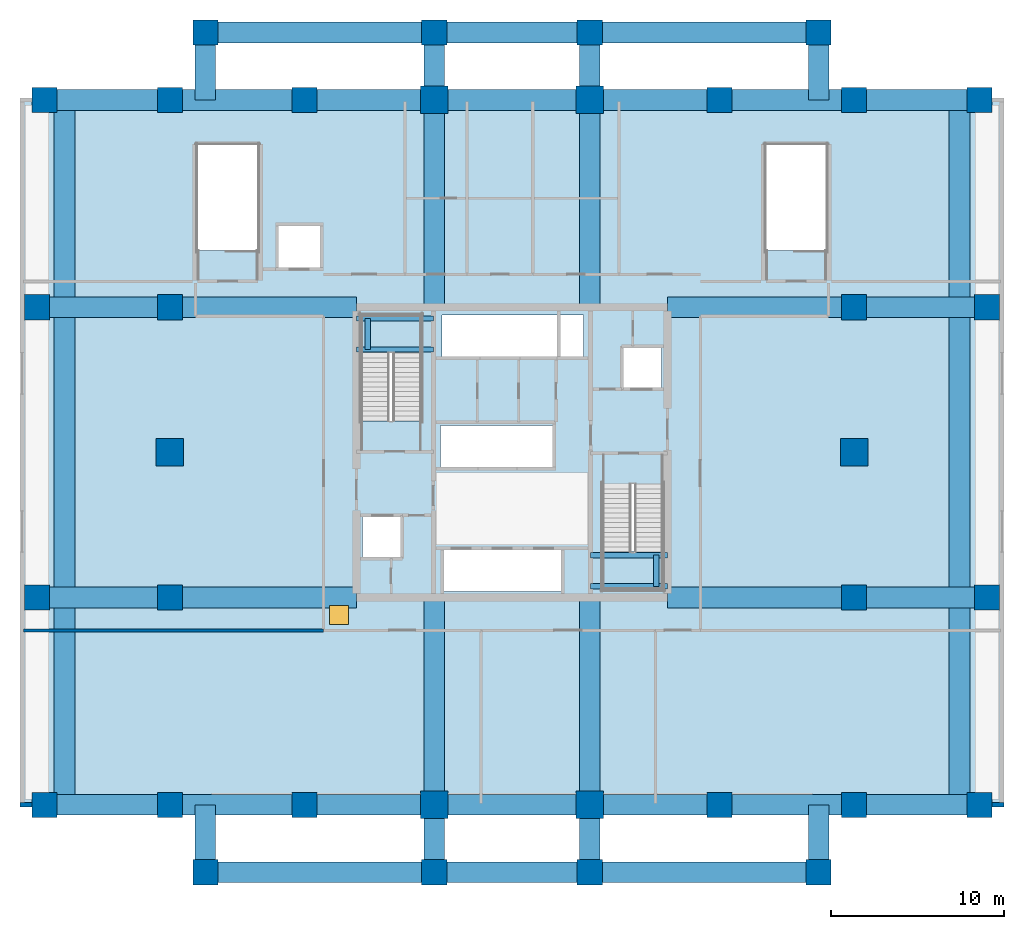
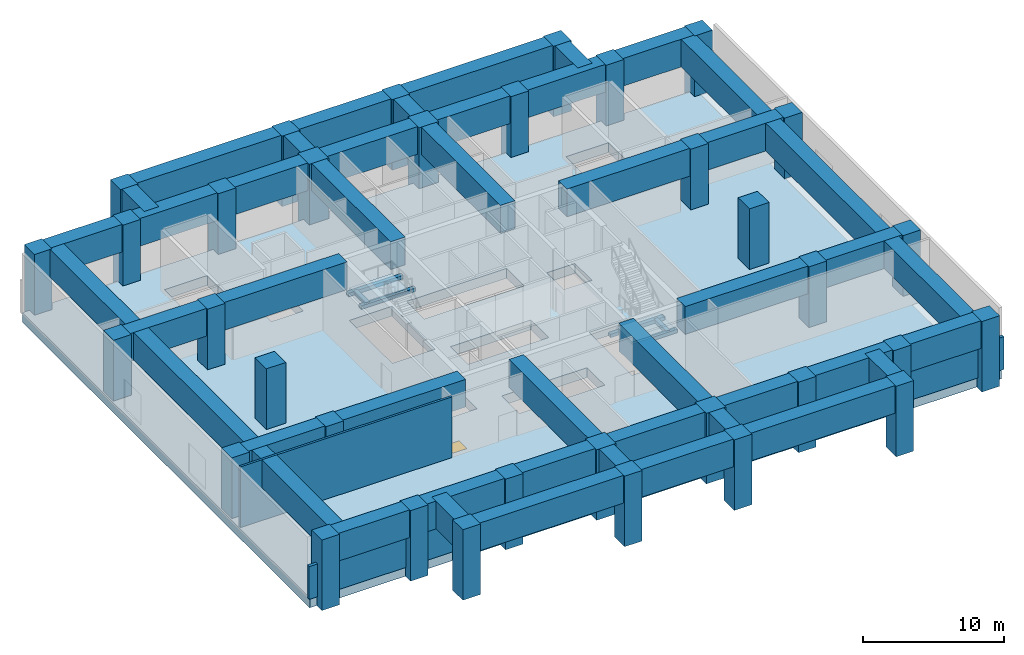
"""IFC4 building model written with IfcOpenShell, lengths in metres."""

import ifcopenshell
import ifcopenshell.guid

model = None  # the IFC model being written
_history = None  # IfcOwnerHistory: only IFC2X3 demands one
_inside = {}  # id of a spatial element -> (the spatial element, [elements in it])
_under = {}  # id of a project, library or spatial element -> (it, [spatial elements below it])
_declared = {}  # id of a project -> (the project, [libraries it declares])
_typed = {}  # id of a type object -> (the type object, [elements of that type])
_made_of = {}  # id of a material, layer set ... -> (it, [elements and type objects made of it])


def new_model(schema):
    """Start an empty IFC model of exactly this schema.

    Asked for "IFC4X3", IfcOpenShell would pick the latest addendum, in which some entities
    have other attributes; the version numbers below select the first issue.
    IFC2X3 requires an IfcOwnerHistory on every rooted entity: one is made here for all.
    """
    global model, _history
    if schema == "IFC4X3":
        model = ifcopenshell.file(schema_version=(4, 3, 0, 0))
    else:
        model = ifcopenshell.file(schema=schema)
    _inside.clear()
    _under.clear()
    _declared.clear()
    _typed.clear()
    _made_of.clear()
    _history = None
    if model.schema == "IFC2X3":
        org = make("IfcOrganization", Name="unknown")
        user = make(
            "IfcPersonAndOrganization",
            ThePerson=make("IfcPerson", FamilyName="unknown"),
            TheOrganization=org,
        )
        app = make(
            "IfcApplication",
            ApplicationDeveloper=org,
            Version="unknown",
            ApplicationFullName="unknown",
            ApplicationIdentifier="unknown",
        )
        _history = make(
            "IfcOwnerHistory",
            OwningUser=user,
            OwningApplication=app,
            ChangeAction="ADDED",
            CreationDate=0,
        )
    return model


def make(cls, **values):
    """One entity of the class cls with the attributes given. An attribute that is None is left unset."""
    return model.create_entity(
        cls, **{name: value for name, value in values.items() if value is not None}
    )


def rooted(cls, **values):
    """An entity with a GlobalId (a new one), such as an element, a storey or a relation."""
    return make(cls, GlobalId=ifcopenshell.guid.new(), OwnerHistory=_history, **values)


def si_unit(unit_type, name, prefix=None):
    """IfcSIUnit, for example si_unit("LENGTHUNIT", "METRE", prefix="MILLI")."""
    return make("IfcSIUnit", UnitType=unit_type, Prefix=prefix, Name=name)


def assignment(units):
    """IfcUnitAssignment: the units of a project."""
    return None if units is None else make("IfcUnitAssignment", Units=units)


def point(xyz):
    """IfcCartesianPoint."""
    return None if xyz is None else make("IfcCartesianPoint", Coordinates=xyz)


def direction(xyz):
    """IfcDirection."""
    return None if xyz is None else make("IfcDirection", DirectionRatios=xyz)


def frame(location, z_axis=None, x_axis=None):
    """IfcAxis2Placement3D, a coordinate frame: its origin and axes. An axis left out is left unset."""
    return make(
        "IfcAxis2Placement3D",
        Location=point(location),
        Axis=direction(z_axis),
        RefDirection=direction(x_axis),
    )


def frame_2d(location, x_axis=None):
    """IfcAxis2Placement2D, a coordinate frame in the plane: its origin and x axis."""
    return make(
        "IfcAxis2Placement2D", Location=point(location), RefDirection=direction(x_axis)
    )


def origin():
    """The frame at (0, 0, 0) with its axes left unset."""
    return frame((0.0, 0.0, 0.0))


def origin_2d():
    """The frame at (0, 0) in the plane with its x axis left unset."""
    return frame_2d((0.0, 0.0))


def place(relative_to, where):
    """IfcLocalPlacement: puts the frame where relative to a parent placement (None: the world)."""
    return make(
        "IfcLocalPlacement", PlacementRelTo=relative_to, RelativePlacement=where
    )


def context(
    kind, dimensions, precision=None, world=None, true_north=None, identifier=None
):
    """IfcGeometricRepresentationContext, for example the 3D "Model" context."""
    return make(
        "IfcGeometricRepresentationContext",
        ContextIdentifier=identifier,
        ContextType=kind,
        CoordinateSpaceDimension=dimensions,
        Precision=precision,
        WorldCoordinateSystem=world,
        TrueNorth=true_north,
    )


def subcontext(parent, identifier, kind, view, scale=None):
    """IfcGeometricRepresentationSubContext, for example "Body" below "Model"."""
    return make(
        "IfcGeometricRepresentationSubContext",
        ContextIdentifier=identifier,
        ContextType=kind,
        ParentContext=parent,
        TargetScale=scale,
        TargetView=view,
    )


def project(units=None, contexts=None):
    """IfcProject with its units and contexts."""
    return rooted(
        "IfcProject",
        Name="project",
        RepresentationContexts=contexts,
        UnitsInContext=assignment(units),
    )


def spatial(cls, under=None, at=None, **own):
    """A site, building, storey or space (cls), placed at a placement, below another one or the project."""
    s = rooted(cls, ObjectPlacement=at, **own)
    if under is not None:
        _under.setdefault(under.id(), (under, []))[1].append(s)
    return s


def polyline(points):
    """IfcPolyline through the points."""
    return make("IfcPolyline", Points=[point(p) for p in points])


def profile(cls, at=None, kind="AREA", **sizes):
    """A parametric profile (cls). Its sizes go by their IFC names, for example OverallWidth=200.0."""
    return make(cls, ProfileType=kind, Position=at, **sizes)


def rectangle(**sizes):
    """IfcRectangleProfileDef."""
    return profile("IfcRectangleProfileDef", **sizes)


def outline(outer, holes=None, kind="AREA"):
    """IfcArbitraryClosedProfileDef: a profile drawn as a closed curve; with holes, ...WithVoids."""
    if holes is None:
        return make("IfcArbitraryClosedProfileDef", ProfileType=kind, OuterCurve=outer)
    return make(
        "IfcArbitraryProfileDefWithVoids",
        ProfileType=kind,
        OuterCurve=outer,
        InnerCurves=holes,
    )


def extrude(swept, where, along, depth):
    """IfcExtrudedAreaSolid: the profile swept, set in the frame where, extruded along a direction by depth."""
    return make(
        "IfcExtrudedAreaSolid",
        SweptArea=swept,
        Position=where,
        ExtrudedDirection=direction(along),
        Depth=depth,
    )


def shape(context_of_items, identifier, shape_type, items):
    """IfcShapeRepresentation: the items that make up one representation, for example the "Body"."""
    return make(
        "IfcShapeRepresentation",
        ContextOfItems=context_of_items,
        RepresentationIdentifier=identifier,
        RepresentationType=shape_type,
        Items=items,
    )


def source(mapping_origin, context_of_items, identifier, shape_type, items):
    """IfcRepresentationMap: a shape defined once, which mapped items show again and again."""
    return make(
        "IfcRepresentationMap",
        MappingOrigin=mapping_origin,
        MappedRepresentation=shape(context_of_items, identifier, shape_type, items),
    )


def transform(
    local_origin,
    x_axis=None,
    y_axis=None,
    z_axis=None,
    scale=None,
    scale2=None,
    scale3=None,
    uniform=True,
):
    """IfcCartesianTransformationOperator3D, or its non-uniform kind. x_axis, y_axis, z_axis: its Axis1, 2, 3."""
    if uniform:
        return make(
            "IfcCartesianTransformationOperator3D",
            Axis1=direction(x_axis),
            Axis2=direction(y_axis),
            LocalOrigin=point(local_origin),
            Scale=scale,
            Axis3=direction(z_axis),
        )
    return make(
        "IfcCartesianTransformationOperator3DnonUniform",
        Axis1=direction(x_axis),
        Axis2=direction(y_axis),
        LocalOrigin=point(local_origin),
        Scale=scale,
        Axis3=direction(z_axis),
        Scale2=scale2,
        Scale3=scale3,
    )


def mapped(mapping_source, mapping_target):
    """IfcMappedItem: shows the shape of a source again, moved by a transform."""
    return make(
        "IfcMappedItem", MappingSource=mapping_source, MappingTarget=mapping_target
    )


def material(Name=None, Category=None):
    """IfcMaterial."""
    return make("IfcMaterial", Name=Name, Category=Category)


def layer(
    of_material, thickness, ventilated=None, Name=None, Category=None, Priority=None
):
    """IfcMaterialLayer: one layer of a wall or slab, of a material (None: an air gap)."""
    return make(
        "IfcMaterialLayer",
        Material=of_material,
        LayerThickness=thickness,
        IsVentilated=ventilated,
        Name=Name,
        Category=Category,
        Priority=Priority,
    )


def layer_set(layers, Name=None):
    """IfcMaterialLayerSet."""
    return make("IfcMaterialLayerSet", MaterialLayers=layers, LayerSetName=Name)


def material_profile(
    of_material, cross_section, Name=None, Category=None, Priority=None
):
    """IfcMaterialProfile: a cross section and its material."""
    return make(
        "IfcMaterialProfile",
        Name=Name,
        Material=of_material,
        Profile=cross_section,
        Priority=Priority,
        Category=Category,
    )


def profile_set(profiles, Name=None, composite=None):
    """IfcMaterialProfileSet."""
    return make(
        "IfcMaterialProfileSet",
        Name=Name,
        MaterialProfiles=profiles,
        CompositeProfile=composite,
    )


def made_of(thing, what):
    """Note that an element or type object is made of a material, layer set ...; save() writes the relation."""
    if what is not None:
        _made_of.setdefault(what.id(), (what, []))[1].append(thing)
    return thing


def type_object(cls, material=None, **own):
    """A type object (cls), such as IfcWallType, which elements share."""
    return made_of(rooted(cls, **own), material)


def element(
    cls,
    number,
    at=None,
    inside=None,
    cuts=None,
    type_object=None,
    material=None,
    context=None,
    identifier="Body",
    shape_type=None,
    held_by="IfcProductDefinitionShape",
    body=None,
    shapes=None,
    **own,
):
    """One element of the class cls, such as IfcWall. Its Tag is "e" and its number.

    at: its placement. inside: the storey or other place that contains it. cuts: it is an
    opening in that element (IfcRelVoidsElement). A single representation is given by context,
    identifier, shape_type and body (its items); several are given by shapes. held_by: the class
    of the entity that holds the representations. save() writes the other relations.
    """
    e = rooted(cls, Tag="e%d" % number, ObjectPlacement=at, **own)
    if body is not None:
        shapes = [shape(context, identifier, shape_type, body)]
    if shapes is not None:
        e.Representation = make(held_by, Representations=shapes)
    if inside is not None:
        _inside.setdefault(inside.id(), (inside, []))[1].append(e)
    if cuts is not None:
        rooted(
            "IfcRelVoidsElement", RelatingBuildingElement=cuts, RelatedOpeningElement=e
        )
    if type_object is not None:
        _typed.setdefault(type_object.id(), (type_object, []))[1].append(e)
    return made_of(e, material)


def fill(opening, filler):
    """IfcRelFillsElement: the door or window that sits in an opening."""
    return rooted(
        "IfcRelFillsElement",
        RelatingOpeningElement=opening,
        RelatedBuildingElement=filler,
    )


def aggregate(whole, parts):
    """IfcRelAggregates: a whole, such as a stair, and the parts it consists of."""
    return rooted("IfcRelAggregates", RelatingObject=whole, RelatedObjects=parts)


def save(model, path):
    """Write the relations noted so far, then the file.

    IfcRelAggregates (storeys below a building ...), IfcRelContainedInSpatialStructure (elements
    in a storey), IfcRelDefinesByType, IfcRelAssociatesMaterial and IfcRelDeclares: one each for
    every whole, place, type object, material and project.
    """
    for whole, parts in _under.values():
        aggregate(whole, parts)
    for where, things in _inside.values():
        rooted(
            "IfcRelContainedInSpatialStructure",
            RelatedElements=things,
            RelatingStructure=where,
        )
    for kind, things in _typed.values():
        rooted("IfcRelDefinesByType", RelatedObjects=things, RelatingType=kind)
    for what, things in _made_of.values():
        rooted("IfcRelAssociatesMaterial", RelatedObjects=things, RelatingMaterial=what)
    for by, libraries in _declared.values():
        rooted("IfcRelDeclares", RelatingContext=by, RelatedDefinitions=libraries)
    model.write(path)


model = new_model("IFC4")

# Units and contexts
model_context = context("Model", 3, precision=1e-05, world=origin(), true_north=direction((0.0, 1.0)))
body_context = subcontext(model_context, "Body", "Model", "MODEL_VIEW")
ifc_project = project(units=[si_unit("LENGTHUNIT", "METRE"), si_unit("AREAUNIT", "SQUARE_METRE"), si_unit("VOLUMEUNIT", "CUBIC_METRE"), si_unit("PLANEANGLEUNIT", "RADIAN"), si_unit("MASSUNIT", "GRAM", prefix="KILO")], contexts=[model_context])

# Site, building, storey
site_placement = place(None, origin())
site = spatial("IfcSite", under=ifc_project, at=site_placement, CompositionType="ELEMENT")
building_placement = place(site_placement, origin())
building = spatial("IfcBuilding", under=site, at=building_placement, Name="Serunith Strait Residences", CompositionType="ELEMENT")
storey_1_placement = place(building_placement, frame((0.0, 0.0, 21.0)))
storey_1 = spatial("IfcBuildingStorey", under=building, at=storey_1_placement, Name="L04", CompositionType="ELEMENT", Elevation=21.0)

# Columns
ifc_material_1 = material(Name="Concrete C90/105", Category="concrete")
ifc_material_profile_1 = material_profile(ifc_material_1, rectangle(XDim=1.449951171875, YDim=1.449951171875, at=origin_2d()), Name="RC 1450x1450")
ifc_profile_set_1 = profile_set([ifc_material_profile_1], Name="Concrete C90/105")
column_type_1 = type_object("IfcColumnType", Name="COL-RC-1450", PredefinedType="COLUMN", material=ifc_profile_set_1)
shared_shape_1 = source(origin(), body_context, "Body", "SweptSolid", [
    extrude(rectangle(XDim=1.449951171875, YDim=1.449951171875, at=origin_2d()), origin(), (0.0, 0.0, 1.0), 6.110107421875),
])
for number, where, z_axis, x_axis, name in (
    (1, (12.60009765625, 4.800048828125, -0.85009765625), (0.0, 0.0, 1.0), (1.0, 0.0, 0.0), "L04 Podium Column PC-S1"),
    (2, (20.39990234375, 4.800048828125, -0.85009765625), (0.0, 0.0, 1.0), (1.0, 0.0, 0.0), "L04 Podium Column PC-S2"),
    (3, (44.39990234375, 4.800048828125, -0.85009765625), (0.0, 0.0, 1.0), (1.0, 0.0, 0.0), "L04 Podium Column PC-S5"),
    (4, (52.199951171875, 4.800048828125, -0.85009765625), (0.0, 0.0, 1.0), (1.0, 0.0, 0.0), "L04 Podium Column PC-S6"),
    (5, (12.60009765625, 45.60009765625, -0.85009765625), (0.0, 0.0, 1.0), (1.0, 0.0, 0.0), "L04 Podium Column PC-N1"),
    (6, (20.39990234375, 45.60009765625, -0.85009765625), (0.0, 0.0, 1.0), (1.0, 0.0, 0.0), "L04 Podium Column PC-N2"),
    (7, (44.39990234375, 45.60009765625, -0.85009765625), (0.0, 0.0, 1.0), (1.0, 0.0, 0.0), "L04 Podium Column PC-N5"),
    (8, (52.199951171875, 45.60009765625, -0.85009765625), (0.0, 0.0, 1.0), (1.0, 0.0, 0.0), "L04 Podium Column PC-N6"),
    (9, (12.60009765625, 16.800048828125, -0.85009765625), (0.0, 0.0, 1.0), (1.0, 0.0, 0.0), "L04 Podium Column PC-MW1"),
    (10, (12.60009765625, 33.60009765625, -0.85009765625), (0.0, 0.0, 1.0), (1.0, 0.0, 0.0), "L04 Podium Column PC-MW3"),
    (11, (52.199951171875, 16.800048828125, -0.85009765625), (0.0, 0.0, 1.0), (1.0, 0.0, 0.0), "L04 Podium Column PC-ME1"),
    (12, (52.199951171875, 33.60009765625, -0.85009765625), (0.0, 0.0, 1.0), (1.0, 0.0, 0.0), "L04 Podium Column PC-ME3"),
    (13, (14.64990234375, 0.89990234375, -0.85009765625), (0.0, 0.0, 1.0), (1.0, 0.0, 0.0), "L04 Podium Column PC-RS1"),
    (14, (27.89990234375, 0.89990234375, -0.85009765625), (0.0, 0.0, 1.0), (1.0, 0.0, 0.0), "L04 Podium Column PC-RS2"),
    (15, (36.89990234375, 0.89990234375, -0.85009765625), (0.0, 0.0, 1.0), (1.0, 0.0, 0.0), "L04 Podium Column PC-RS3"),
    (16, (50.14990234375, 0.89990234375, -0.85009765625), (0.0, 0.0, 1.0), (1.0, 0.0, 0.0), "L04 Podium Column PC-RS4"),
    (17, (14.64990234375, 49.5, -0.85009765625), (0.0, 0.0, 1.0), (1.0, 0.0, 0.0), "L04 Podium Column PC-RN1"),
    (18, (27.89990234375, 49.5, -0.85009765625), (0.0, 0.0, 1.0), (1.0, 0.0, 0.0), "L04 Podium Column PC-RN2"),
    (19, (36.89990234375, 49.5, -0.85009765625), (0.0, 0.0, 1.0), (1.0, 0.0, 0.0), "L04 Podium Column PC-RN3"),
    (20, (50.14990234375, 49.5, -0.85009765625), (0.0, 0.0, 1.0), (1.0, 0.0, 0.0), "L04 Podium Column PC-RN4"),
    (21, (4.89990234375, 16.800048828125, -0.85009765625), (0.0, 0.0, 1.0), (1.0, 0.0, 0.0), "L04 Podium Column PC-RW1"),
    (22, (4.89990234375, 33.60009765625, -0.85009765625), (0.0, 0.0, 1.0), (1.0, 0.0, 0.0), "L04 Podium Column PC-RW2"),
    (23, (59.89990234375, 16.800048828125, -0.85009765625), (0.0, 0.0, 1.0), (1.0, 0.0, 0.0), "L04 Podium Column PC-RE1"),
    (24, (59.89990234375, 33.60009765625, -0.85009765625), (0.0, 0.0, 1.0), (1.0, 0.0, 0.0), "L04 Podium Column PC-RE2"),
    (25, (5.35009765625, 4.800048828125, -0.85009765625), (0.0, 0.0, 1.0), (1.0, 0.0, 0.0), "L04 Podium Column PC-RWS"),
    (26, (5.35009765625, 45.60009765625, -0.85009765625), (0.0, 0.0, 1.0), (1.0, 0.0, 0.0), "L04 Podium Column PC-RWN"),
    (27, (59.449951171875, 4.800048828125, -0.85009765625), (0.0, 0.0, 1.0), (1.0, 0.0, 0.0), "L04 Podium Column PC-RES"),
    (28, (59.449951171875, 45.60009765625, -0.85009765625), (0.0, 0.0, 1.0), (1.0, 0.0, 0.0), "L04 Podium Column PC-REN"),
):
    element("IfcColumn", number, at=place(storey_1_placement, frame(where, z_axis=z_axis, x_axis=x_axis)), inside=storey_1, type_object=column_type_1, Name=name, PredefinedType="COLUMN", context=body_context, shape_type="MappedRepresentation", body=[
        mapped(shared_shape_1, transform((0.0, 0.0, 0.0), scale=1.0)),
    ])
ifc_material_profile_2 = material_profile(ifc_material_1, rectangle(XDim=1.60009765625, YDim=1.60009765625, at=origin_2d()), Name="RC 1600x1600")
ifc_profile_set_2 = profile_set([ifc_material_profile_2], Name="Concrete C90/105")
column_type_2 = type_object("IfcColumnType", Name="COL-RC-1600", PredefinedType="COLUMN", material=ifc_profile_set_2)
shared_shape_2 = source(origin(), body_context, "Body", "SweptSolid", [
    extrude(rectangle(XDim=1.60009765625, YDim=1.60009765625, at=origin_2d()), origin(), (0.0, 0.0, 1.0), 6.110107421875),
])
for number, where, z_axis, x_axis, name in (
    (29, (27.89990234375, 4.800048828125, -0.85009765625), (0.0, 0.0, 1.0), (1.0, 0.0, 0.0), "L04 Podium Column PC-S3"),
    (30, (36.89990234375, 4.800048828125, -0.85009765625), (0.0, 0.0, 1.0), (1.0, 0.0, 0.0), "L04 Podium Column PC-S4"),
    (31, (27.89990234375, 45.60009765625, -0.85009765625), (0.0, 0.0, 1.0), (1.0, 0.0, 0.0), "L04 Podium Column PC-N3"),
    (32, (36.89990234375, 45.60009765625, -0.85009765625), (0.0, 0.0, 1.0), (1.0, 0.0, 0.0), "L04 Podium Column PC-N4"),
    (33, (12.60009765625, 25.199951171875, -0.85009765625), (0.0, 0.0, 1.0), (1.0, 0.0, 0.0), "L04 Podium Column PC-MW2"),
    (34, (52.199951171875, 25.199951171875, -0.85009765625), (0.0, 0.0, 1.0), (1.0, 0.0, 0.0), "L04 Podium Column PC-ME2"),
):
    element("IfcColumn", number, at=place(storey_1_placement, frame(where, z_axis=z_axis, x_axis=x_axis)), inside=storey_1, type_object=column_type_2, Name=name, PredefinedType="COLUMN", context=body_context, shape_type="MappedRepresentation", body=[
        mapped(shared_shape_2, transform((0.0, 0.0, 0.0), scale=1.0)),
    ])

# Beams
ifc_material_2 = material(Name="Concrete C80/95", Category="concrete")
ifc_material_profile_3 = material_profile(ifc_material_2, rectangle(XDim=1.199951171875, YDim=2.39990234375, at=origin_2d()), Name="RC 1200x2400")
ifc_profile_set_3 = profile_set([ifc_material_profile_3], Name="Concrete C80/95")
beam_type_1 = type_object("IfcBeamType", Name="BM-XFER-1200x2400", PredefinedType="BEAM", material=ifc_profile_set_3)
shared_shape_3 = source(origin(), body_context, "Body", "SweptSolid", [
    extrude(rectangle(XDim=1.199951171875, YDim=2.39990234375, at=origin_2d()), origin(), (0.0, 0.0, 1.0), 13.25),
])
for number, where, z_axis, x_axis, name in (
    (35, (14.64990234375, 0.89990234375, 4.06005859375), (1.0, 0.0, 0.0), (0.0, 1.0, 0.0), "L05 Transfer Girder 01"),
    (36, (36.89990234375, 0.89990234375, 4.06005859375), (1.0, 0.0, 0.0), (0.0, 1.0, 0.0), "L05 Transfer Girder 03"),
    (37, (14.64990234375, 49.5, 4.06005859375), (1.0, 0.0, 0.0), (0.0, 1.0, 0.0), "L05 Transfer Girder 04"),
    (38, (36.89990234375, 49.5, 4.06005859375), (1.0, 0.0, 0.0), (0.0, 1.0, 0.0), "L05 Transfer Girder 06"),
):
    element("IfcBeam", number, at=place(storey_1_placement, frame(where, z_axis=z_axis, x_axis=x_axis)), inside=storey_1, type_object=beam_type_1, Name=name, PredefinedType="BEAM", context=body_context, shape_type="MappedRepresentation", body=[
        mapped(shared_shape_3, transform((0.0, 0.0, 0.0), scale=1.0)),
    ])
shared_shape_4 = source(origin(), body_context, "Body", "SweptSolid", [
    extrude(rectangle(XDim=1.199951171875, YDim=2.39990234375, at=origin_2d()), origin(), (0.0, 0.0, 1.0), 9.0),
])
for number, where, z_axis, x_axis, name in (
    (39, (27.89990234375, 0.89990234375, 4.06005859375), (1.0, 0.0, 0.0), (0.0, 1.0, 0.0), "L05 Transfer Girder 02"),
    (40, (27.89990234375, 49.5, 4.06005859375), (1.0, 0.0, 0.0), (0.0, 1.0, 0.0), "L05 Transfer Girder 05"),
    (41, (27.89990234375, 4.800048828125, 4.06005859375), (1.0, 0.0, 0.0), (0.0, 1.0, 0.0), "L05 Transfer Girder 18"),
    (42, (27.89990234375, 45.60009765625, 4.06005859375), (1.0, 0.0, 0.0), (0.0, 1.0, 0.0), "L05 Transfer Girder 25"),
):
    element("IfcBeam", number, at=place(storey_1_placement, frame(where, z_axis=z_axis, x_axis=x_axis)), inside=storey_1, type_object=beam_type_1, Name=name, PredefinedType="BEAM", context=body_context, shape_type="MappedRepresentation", body=[
        mapped(shared_shape_4, transform((0.0, 0.0, 0.0), scale=1.0)),
    ])
shared_shape_5 = source(origin(), body_context, "Body", "SweptSolid", [
    extrude(rectangle(XDim=1.199951171875, YDim=2.39990234375, at=origin_2d()), origin(), (0.0, 0.0, 1.0), 3.900146484375),
])
for number, where, z_axis, x_axis, name in (
    (43, (27.89990234375, 0.89990234375, 4.06005859375), (0.0, 1.0, 0.0), (-1.0, 0.0, 0.0), "L05 Transfer Girder 07"),
    (44, (36.89990234375, 0.89990234375, 4.06005859375), (0.0, 1.0, 0.0), (-1.0, 0.0, 0.0), "L05 Transfer Girder 09"),
    (45, (14.64990234375, 0.89990234375, 4.06005859375), (0.0, 1.0, 0.0), (-1.0, 0.0, 0.0), "L05 Transfer Girder 29"),
    (46, (50.14990234375, 0.89990234375, 4.06005859375), (0.0, 1.0, 0.0), (-1.0, 0.0, 0.0), "L05 Transfer Girder 30"),
):
    element("IfcBeam", number, at=place(storey_1_placement, frame(where, z_axis=z_axis, x_axis=x_axis)), inside=storey_1, type_object=beam_type_1, Name=name, PredefinedType="BEAM", context=body_context, shape_type="MappedRepresentation", body=[
        mapped(shared_shape_5, transform((0.0, 0.0, 0.0), scale=1.0)),
    ])
shared_shape_6 = source(origin(), body_context, "Body", "SweptSolid", [
    extrude(rectangle(XDim=1.199951171875, YDim=2.39990234375, at=origin_2d()), origin(), (0.0, 0.0, 1.0), 12.0),
])
for number, where, z_axis, x_axis, name in (
    (47, (27.89990234375, 4.800048828125, 4.06005859375), (0.0, 1.0, 0.0), (-1.0, 0.0, 0.0), "L05 Transfer Girder 08"),
    (48, (36.89990234375, 4.800048828125, 4.06005859375), (0.0, 1.0, 0.0), (-1.0, 0.0, 0.0), "L05 Transfer Girder 10"),
    (49, (27.89990234375, 33.60009765625, 4.06005859375), (0.0, 1.0, 0.0), (-1.0, 0.0, 0.0), "L05 Transfer Girder 11"),
    (50, (36.89990234375, 33.60009765625, 4.06005859375), (0.0, 1.0, 0.0), (-1.0, 0.0, 0.0), "L05 Transfer Girder 13"),
):
    element("IfcBeam", number, at=place(storey_1_placement, frame(where, z_axis=z_axis, x_axis=x_axis)), inside=storey_1, type_object=beam_type_1, Name=name, PredefinedType="BEAM", context=body_context, shape_type="MappedRepresentation", body=[
        mapped(shared_shape_6, transform((0.0, 0.0, 0.0), scale=1.0)),
    ])
shared_shape_7 = source(origin(), body_context, "Body", "SweptSolid", [
    extrude(rectangle(XDim=1.199951171875, YDim=2.39990234375, at=origin_2d()), origin(), (0.0, 0.0, 1.0), 3.89990234375),
])
for number, where, z_axis, x_axis, name in (
    (51, (27.89990234375, 45.60009765625, 4.06005859375), (0.0, 1.0, 0.0), (-1.0, 0.0, 0.0), "L05 Transfer Girder 12"),
    (52, (36.89990234375, 45.60009765625, 4.06005859375), (0.0, 1.0, 0.0), (-1.0, 0.0, 0.0), "L05 Transfer Girder 14"),
    (53, (14.64990234375, 45.60009765625, 4.06005859375), (0.0, 1.0, 0.0), (-1.0, 0.0, 0.0), "L05 Transfer Girder 31"),
    (54, (50.14990234375, 45.60009765625, 4.06005859375), (0.0, 1.0, 0.0), (-1.0, 0.0, 0.0), "L05 Transfer Girder 32"),
):
    element("IfcBeam", number, at=place(storey_1_placement, frame(where, z_axis=z_axis, x_axis=x_axis)), inside=storey_1, type_object=beam_type_1, Name=name, PredefinedType="BEAM", context=body_context, shape_type="MappedRepresentation", body=[
        mapped(shared_shape_7, transform((0.0, 0.0, 0.0), scale=1.0)),
    ])
shared_shape_8 = source(origin(), body_context, "Body", "SweptSolid", [
    extrude(rectangle(XDim=1.199951171875, YDim=2.39990234375, at=origin_2d()), origin(), (0.0, 0.0, 1.0), 7.25),
])
for number, where, z_axis, x_axis, name in (
    (55, (5.35009765625, 4.800048828125, 4.06005859375), (1.0, 0.0, 0.0), (0.0, 1.0, 0.0), "L05 Transfer Girder 15"),
    (56, (52.199951171875, 4.800048828125, 4.06005859375), (1.0, 0.0, 0.0), (0.0, 1.0, 0.0), "L05 Transfer Girder 21"),
    (57, (5.35009765625, 45.60009765625, 4.06005859375), (1.0, 0.0, 0.0), (0.0, 1.0, 0.0), "L05 Transfer Girder 22"),
    (58, (52.199951171875, 45.60009765625, 4.06005859375), (1.0, 0.0, 0.0), (0.0, 1.0, 0.0), "L05 Transfer Girder 28"),
):
    element("IfcBeam", number, at=place(storey_1_placement, frame(where, z_axis=z_axis, x_axis=x_axis)), inside=storey_1, type_object=beam_type_1, Name=name, PredefinedType="BEAM", context=body_context, shape_type="MappedRepresentation", body=[
        mapped(shared_shape_8, transform((0.0, 0.0, 0.0), scale=1.0)),
    ])
shared_shape_9 = source(origin(), body_context, "Body", "SweptSolid", [
    extrude(rectangle(XDim=1.199951171875, YDim=2.39990234375, at=origin_2d()), origin(), (0.0, 0.0, 1.0), 7.7998046875),
])
for number, where, z_axis, x_axis, name in (
    (59, (12.60009765625, 4.800048828125, 4.06005859375), (1.0, 0.0, 0.0), (0.0, 1.0, 0.0), "L05 Transfer Girder 16"),
    (60, (12.60009765625, 45.60009765625, 4.06005859375), (1.0, 0.0, 0.0), (0.0, 1.0, 0.0), "L05 Transfer Girder 23"),
):
    element("IfcBeam", number, at=place(storey_1_placement, frame(where, z_axis=z_axis, x_axis=x_axis)), inside=storey_1, type_object=beam_type_1, Name=name, PredefinedType="BEAM", context=body_context, shape_type="MappedRepresentation", body=[
        mapped(shared_shape_9, transform((0.0, 0.0, 0.0), scale=1.0)),
    ])
shared_shape_10 = source(origin(), body_context, "Body", "SweptSolid", [
    extrude(rectangle(XDim=1.199951171875, YDim=2.39990234375, at=origin_2d()), origin(), (0.0, 0.0, 1.0), 7.5),
])
for number, where, z_axis, x_axis, name in (
    (61, (20.39990234375, 4.800048828125, 4.06005859375), (1.0, 0.0, 0.0), (0.0, 1.0, 0.0), "L05 Transfer Girder 17"),
    (62, (36.89990234375, 4.800048828125, 4.06005859375), (1.0, 0.0, 0.0), (0.0, 1.0, 0.0), "L05 Transfer Girder 19"),
    (63, (20.39990234375, 45.60009765625, 4.06005859375), (1.0, 0.0, 0.0), (0.0, 1.0, 0.0), "L05 Transfer Girder 24"),
    (64, (36.89990234375, 45.60009765625, 4.06005859375), (1.0, 0.0, 0.0), (0.0, 1.0, 0.0), "L05 Transfer Girder 26"),
):
    element("IfcBeam", number, at=place(storey_1_placement, frame(where, z_axis=z_axis, x_axis=x_axis)), inside=storey_1, type_object=beam_type_1, Name=name, PredefinedType="BEAM", context=body_context, shape_type="MappedRepresentation", body=[
        mapped(shared_shape_10, transform((0.0, 0.0, 0.0), scale=1.0)),
    ])
shared_shape_11 = source(origin(), body_context, "Body", "SweptSolid", [
    extrude(rectangle(XDim=1.199951171875, YDim=2.39990234375, at=origin_2d()), origin(), (0.0, 0.0, 1.0), 7.800048828125),
])
for number, where, z_axis, x_axis, name in (
    (65, (44.39990234375, 4.800048828125, 4.06005859375), (1.0, 0.0, 0.0), (0.0, 1.0, 0.0), "L05 Transfer Girder 20"),
    (66, (44.39990234375, 45.60009765625, 4.06005859375), (1.0, 0.0, 0.0), (0.0, 1.0, 0.0), "L05 Transfer Girder 27"),
):
    element("IfcBeam", number, at=place(storey_1_placement, frame(where, z_axis=z_axis, x_axis=x_axis)), inside=storey_1, type_object=beam_type_1, Name=name, PredefinedType="BEAM", context=body_context, shape_type="MappedRepresentation", body=[
        mapped(shared_shape_11, transform((0.0, 0.0, 0.0), scale=1.0)),
    ])
shared_shape_12 = source(origin(), body_context, "Body", "SweptSolid", [
    extrude(rectangle(XDim=1.199951171875, YDim=2.39990234375, at=origin_2d()), origin(), (0.0, 0.0, 1.0), 7.7001953125),
])
for number, where, z_axis, x_axis, name in (
    (67, (4.89990234375, 16.800048828125, 4.06005859375), (1.0, 0.0, 0.0), (0.0, 1.0, 0.0), "L05 Transfer Girder 33"),
    (68, (4.89990234375, 33.60009765625, 4.06005859375), (1.0, 0.0, 0.0), (0.0, 1.0, 0.0), "L05 Transfer Girder 35"),
):
    element("IfcBeam", number, at=place(storey_1_placement, frame(where, z_axis=z_axis, x_axis=x_axis)), inside=storey_1, type_object=beam_type_1, Name=name, PredefinedType="BEAM", context=body_context, shape_type="MappedRepresentation", body=[
        mapped(shared_shape_12, transform((0.0, 0.0, 0.0), scale=1.0)),
    ])
shared_shape_13 = source(origin(), body_context, "Body", "SweptSolid", [
    extrude(rectangle(XDim=1.199951171875, YDim=2.39990234375, at=origin_2d()), origin(), (0.0, 0.0, 1.0), 10.7998046875),
])
for number, where, z_axis, x_axis, name in (
    (69, (12.60009765625, 16.800048828125, 4.06005859375), (1.0, 0.0, 0.0), (0.0, 1.0, 0.0), "L05 Transfer Girder 34"),
    (70, (12.60009765625, 33.60009765625, 4.06005859375), (1.0, 0.0, 0.0), (0.0, 1.0, 0.0), "L05 Transfer Girder 36"),
):
    element("IfcBeam", number, at=place(storey_1_placement, frame(where, z_axis=z_axis, x_axis=x_axis)), inside=storey_1, type_object=beam_type_1, Name=name, PredefinedType="BEAM", context=body_context, shape_type="MappedRepresentation", body=[
        mapped(shared_shape_13, transform((0.0, 0.0, 0.0), scale=1.0)),
    ])
shared_shape_14 = source(origin(), body_context, "Body", "SweptSolid", [
    extrude(rectangle(XDim=1.199951171875, YDim=2.39990234375, at=origin_2d()), origin(), (0.0, 0.0, 1.0), 11.39990234375),
])
for number, where, z_axis, x_axis, name in (
    (71, (6.5, 4.800048828125, 4.06005859375), (0.0, 1.0, 0.0), (-1.0, 0.0, 0.0), "L05 Transfer Girder 37"),
    (72, (58.300048828125, 4.800048828125, 4.06005859375), (0.0, 1.0, 0.0), (-1.0, 0.0, 0.0), "L05 Transfer Girder 44"),
):
    element("IfcBeam", number, at=place(storey_1_placement, frame(where, z_axis=z_axis, x_axis=x_axis)), inside=storey_1, type_object=beam_type_1, Name=name, PredefinedType="BEAM", context=body_context, shape_type="MappedRepresentation", body=[
        mapped(shared_shape_14, transform((0.0, 0.0, 0.0), scale=1.0)),
    ])
shared_shape_15 = source(origin(), body_context, "Body", "SweptSolid", [
    extrude(rectangle(XDim=1.199951171875, YDim=2.39990234375, at=origin_2d()), origin(), (0.0, 0.0, 1.0), 15.60009765625),
])
for number, where, z_axis, x_axis, name in (
    (73, (6.5, 17.39990234375, 4.06005859375), (0.0, 1.0, 0.0), (-1.0, 0.0, 0.0), "L05 Transfer Girder 38"),
    (74, (58.300048828125, 17.39990234375, 4.06005859375), (0.0, 1.0, 0.0), (-1.0, 0.0, 0.0), "L05 Transfer Girder 45"),
):
    element("IfcBeam", number, at=place(storey_1_placement, frame(where, z_axis=z_axis, x_axis=x_axis)), inside=storey_1, type_object=beam_type_1, Name=name, PredefinedType="BEAM", context=body_context, shape_type="MappedRepresentation", body=[
        mapped(shared_shape_15, transform((0.0, 0.0, 0.0), scale=1.0)),
    ])
shared_shape_16 = source(origin(), body_context, "Body", "SweptSolid", [
    extrude(rectangle(XDim=1.199951171875, YDim=2.39990234375, at=origin_2d()), origin(), (0.0, 0.0, 1.0), 11.400146484375),
])
for number, where, z_axis, x_axis, name in (
    (75, (6.5, 34.199951171875, 4.06005859375), (0.0, 1.0, 0.0), (-1.0, 0.0, 0.0), "L05 Transfer Girder 39"),
    (76, (58.300048828125, 34.199951171875, 4.06005859375), (0.0, 1.0, 0.0), (-1.0, 0.0, 0.0), "L05 Transfer Girder 46"),
):
    element("IfcBeam", number, at=place(storey_1_placement, frame(where, z_axis=z_axis, x_axis=x_axis)), inside=storey_1, type_object=beam_type_1, Name=name, PredefinedType="BEAM", context=body_context, shape_type="MappedRepresentation", body=[
        mapped(shared_shape_16, transform((0.0, 0.0, 0.0), scale=1.0)),
    ])
shared_shape_17 = source(origin(), body_context, "Body", "SweptSolid", [
    extrude(rectangle(XDim=1.199951171875, YDim=2.39990234375, at=origin_2d()), origin(), (0.0, 0.0, 1.0), 10.800048828125),
])
for number, where, z_axis, x_axis, name in (
    (77, (41.39990234375, 16.800048828125, 4.06005859375), (1.0, 0.0, 0.0), (0.0, 1.0, 0.0), "L05 Transfer Girder 40"),
    (78, (41.39990234375, 33.60009765625, 4.06005859375), (1.0, 0.0, 0.0), (0.0, 1.0, 0.0), "L05 Transfer Girder 42"),
):
    element("IfcBeam", number, at=place(storey_1_placement, frame(where, z_axis=z_axis, x_axis=x_axis)), inside=storey_1, type_object=beam_type_1, Name=name, PredefinedType="BEAM", context=body_context, shape_type="MappedRepresentation", body=[
        mapped(shared_shape_17, transform((0.0, 0.0, 0.0), scale=1.0)),
    ])
shared_shape_18 = source(origin(), body_context, "Body", "SweptSolid", [
    extrude(rectangle(XDim=1.199951171875, YDim=2.39990234375, at=origin_2d()), origin(), (0.0, 0.0, 1.0), 7.699951171875),
])
for number, where, z_axis, x_axis, name in (
    (79, (52.199951171875, 16.800048828125, 4.06005859375), (1.0, 0.0, 0.0), (0.0, 1.0, 0.0), "L05 Transfer Girder 41"),
    (80, (52.199951171875, 33.60009765625, 4.06005859375), (1.0, 0.0, 0.0), (0.0, 1.0, 0.0), "L05 Transfer Girder 43"),
):
    element("IfcBeam", number, at=place(storey_1_placement, frame(where, z_axis=z_axis, x_axis=x_axis)), inside=storey_1, type_object=beam_type_1, Name=name, PredefinedType="BEAM", context=body_context, shape_type="MappedRepresentation", body=[
        mapped(shared_shape_18, transform((0.0, 0.0, 0.0), scale=1.0)),
    ])
ifc_material_3 = material(Name="Concrete C60/75", Category="concrete")
ifc_material_profile_4 = material_profile(ifc_material_3, rectangle(XDim=0.300048828125, YDim=0.300048828125, at=origin_2d()), Name="RC 300x300")
ifc_profile_set_4 = profile_set([ifc_material_profile_4], Name="Concrete C60/75")
beam_type_2 = type_object("IfcBeamType", Name="BM-LAND-300x300", PredefinedType="BEAM", material=ifc_profile_set_4)
shared_shape_19 = source(origin(), body_context, "Body", "SweptSolid", [
    extrude(rectangle(XDim=0.300048828125, YDim=0.300048828125, at=origin_2d()), origin(), (0.0, 0.0, 1.0), 4.4501953125),
])
for number, where, z_axis, x_axis, name in (
    (81, (23.39990234375, 31.14990234375, 2.5), (1.0, 0.0, 0.0), (0.0, 1.0, 0.0), "L04 ST-1 Landing Support Beam 1"),
    (82, (23.39990234375, 32.949951171875, 2.5), (1.0, 0.0, 0.0), (0.0, 1.0, 0.0), "L04 ST-1 Landing Support Beam 2"),
):
    element("IfcBeam", number, at=place(storey_1_placement, frame(where, z_axis=z_axis, x_axis=x_axis)), inside=storey_1, type_object=beam_type_2, Name=name, PredefinedType="BEAM", context=body_context, shape_type="MappedRepresentation", body=[
        mapped(shared_shape_19, transform((0.0, 0.0, 0.0), scale=1.0)),
    ])
shared_shape_20 = source(origin(), body_context, "Body", "SweptSolid", [
    extrude(rectangle(XDim=0.300048828125, YDim=0.300048828125, at=origin_2d()), origin(), (0.0, 0.0, 1.0), 1.800048828125),
])
for number, where, z_axis, x_axis, name in (
    (83, (24.050048828125, 31.14990234375, 2.5), (0.0, 1.0, 0.0), (-1.0, 0.0, 0.0), "L04 ST-1 Landing Transverse Tie Beam"),
    (84, (40.75, 17.449951171875, 2.5), (0.0, 1.0, 0.0), (-1.0, 0.0, 0.0), "L04 ST-2 Landing Transverse Tie Beam"),
):
    element("IfcBeam", number, at=place(storey_1_placement, frame(where, z_axis=z_axis, x_axis=x_axis)), inside=storey_1, type_object=beam_type_2, Name=name, PredefinedType="BEAM", context=body_context, shape_type="MappedRepresentation", body=[
        mapped(shared_shape_20, transform((0.0, 0.0, 0.0), scale=1.0)),
    ])
shared_shape_21 = source(origin(), body_context, "Body", "SweptSolid", [
    extrude(rectangle(XDim=0.300048828125, YDim=0.300048828125, at=origin_2d()), origin(), (0.0, 0.0, 1.0), 4.449951171875),
])
for number, where, z_axis, x_axis, name in (
    (85, (36.949951171875, 17.449951171875, 2.5), (1.0, 0.0, 0.0), (0.0, 1.0, 0.0), "L04 ST-2 Landing Support Beam 1"),
    (86, (36.949951171875, 19.25, 2.5), (1.0, 0.0, 0.0), (0.0, 1.0, 0.0), "L04 ST-2 Landing Support Beam 2"),
):
    element("IfcBeam", number, at=place(storey_1_placement, frame(where, z_axis=z_axis, x_axis=x_axis)), inside=storey_1, type_object=beam_type_2, Name=name, PredefinedType="BEAM", context=body_context, shape_type="MappedRepresentation", body=[
        mapped(shared_shape_21, transform((0.0, 0.0, 0.0), scale=1.0)),
    ])

# Stair, slab
ifc_material_4 = material(Name="Concrete C50/60", Category="concrete")
stair_type_1 = type_object("IfcStairType", Name="STR-CORE-1", PredefinedType="HALF_TURN_STAIR", material=ifc_material_4)
stair_1_placement = place(storey_1_placement, origin())
stair_1 = element("IfcStair", 87, at=stair_1_placement, inside=storey_1, type_object=stair_type_1, Name="L04 Protected Escape Stair ST-1", PredefinedType="HALF_TURN_STAIR")
ifc_layer_1 = layer(ifc_material_4, 0.199951171875, Name="Concrete C50/60")
ifc_layer_set_1 = layer_set([ifc_layer_1], Name="Concrete C50/60")
slab_type_1 = type_object("IfcSlabType", Name="SLB-LAND-200", PredefinedType="LANDING", material=ifc_layer_set_1)
slab_1_placement = place(storey_1_placement, frame((0.0, 0.0, 2.64990234375)))
slab_1 = element("IfcSlab", 88, at=slab_1_placement, type_object=slab_type_1, Name="ST-1 landing 1", PredefinedType="LANDING", context=body_context, shape_type="SweptSolid", body=[
    extrude(outline(polyline([(27.14990234375, 30.949951171875), (27.14990234375, 33.14990234375), (23.64990234375, 33.14990234375), (23.64990234375, 30.949951171875), (27.14990234375, 30.949951171875)])), origin(), (0.0, 0.0, 1.0), 0.2001953125),
])
aggregate(stair_1, [slab_1])

stair_type_2 = type_object("IfcStairType", Name="STR-CORE-2", PredefinedType="HALF_TURN_STAIR", material=ifc_material_4)
stair_2_placement = place(storey_1_placement, origin())
stair_2 = element("IfcStair", 89, at=stair_2_placement, inside=storey_1, type_object=stair_type_2, Name="L04 Protected Escape Stair ST-2", PredefinedType="HALF_TURN_STAIR")
slab_2_placement = place(storey_1_placement, frame((0.0, 0.0, 2.64990234375)))
slab_2 = element("IfcSlab", 90, at=slab_2_placement, type_object=slab_type_1, Name="ST-2 landing 1", PredefinedType="LANDING", context=body_context, shape_type="SweptSolid", body=[
    extrude(outline(polyline([(37.64990234375, 19.449951171875), (37.64990234375, 17.25), (41.14990234375, 17.25), (41.14990234375, 19.449951171875), (37.64990234375, 19.449951171875)])), origin(), (0.0, 0.0, 1.0), 0.2001953125),
])
aggregate(stair_2, [slab_2])

# Slab, opening
ifc_layer_2 = layer(ifc_material_2, 0.85009765625, Name="Concrete C80/95")
ifc_layer_set_2 = layer_set([ifc_layer_2], Name="Concrete C80/95")
slab_type_2 = type_object("IfcSlabType", Name="SLB-XFER-850", PredefinedType="FLOOR", material=ifc_layer_set_2)
slab_3_placement = place(storey_1_placement, frame((0.0, 0.0, -0.85009765625)))
slab_3 = element("IfcSlab", 91, at=slab_3_placement, inside=storey_1, type_object=slab_type_2, Name="L04 Structural Floor Plate", PredefinedType="FLOOR", context=body_context, shape_type="SweptSolid", body=[
    extrude(outline(polyline([(4.050048828125, 45.60009765625), (60.75, 45.60009765625), (60.75, 4.800048828125), (4.050048828125, 4.800048828125), (4.050048828125, 45.60009765625)]), holes=[polyline([(50.60009765625, 43.0), (47.10009765625, 43.0), (47.10009765625, 36.8798828125), (50.60009765625, 36.8798828125), (50.60009765625, 43.0)]), polyline([(41.14990234375, 17.25), (41.14990234375, 23.3701171875), (37.64990234375, 23.3701171875), (37.64990234375, 17.25), (41.14990234375, 17.25)]), polyline([(41.050048828125, 28.85009765625), (41.050048828125, 31.25), (38.75, 31.25), (38.75, 28.85009765625), (41.050048828125, 28.85009765625)]), polyline([(36.550048828125, 33.14990234375), (28.35009765625, 33.14990234375), (28.35009765625, 30.64990234375), (36.550048828125, 30.64990234375), (36.550048828125, 33.14990234375)]), polyline([(35.35009765625, 19.64990234375), (28.35009765625, 19.64990234375), (28.35009765625, 17.14990234375), (35.35009765625, 17.14990234375), (35.35009765625, 19.64990234375)]), polyline([(34.85009765625, 24.25), (34.85009765625, 26.75), (28.25, 26.75), (28.25, 24.25), (34.85009765625, 24.25)]), polyline([(23.64990234375, 33.14990234375), (23.64990234375, 27.030029296875), (27.14990234375, 27.030029296875), (27.14990234375, 33.14990234375), (23.64990234375, 33.14990234375)]), polyline([(26.050048828125, 21.550048828125), (23.75, 21.550048828125), (23.75, 19.14990234375), (26.050048828125, 19.14990234375), (26.050048828125, 21.550048828125)]), polyline([(21.39990234375, 38.39990234375), (18.800048828125, 38.39990234375), (18.800048828125, 35.800048828125), (21.39990234375, 35.800048828125), (21.39990234375, 38.39990234375)]), polyline([(17.699951171875, 43.0), (14.199951171875, 43.0), (14.199951171875, 36.8798828125), (17.699951171875, 36.8798828125), (17.699951171875, 43.0)])]), origin(), (0.0, 0.0, 1.0), 0.85009765625),
])
opening_placement = place(slab_3_placement, frame((22.39990234375, 15.800048828125, 0.0)))
opening = element("IfcOpeningElement", 92, at=opening_placement, cuts=slab_3, Name="Opening RH-01", PredefinedType="OPENING", context=body_context, shape_type="SweptSolid", body=[
    extrude(rectangle(XDim=1.10009765625, YDim=1.10009765625, at=origin_2d()), frame((0.0, 0.0, -0.010009765625)), (0.0, 0.0, 1.0), 0.8701171875),
])

# Storey
storey_2_placement = place(building_placement, frame((0.0, 0.0, 15.300048828125)))
storey_2 = spatial("IfcBuildingStorey", under=building, at=storey_2_placement, Name="L03", CompositionType="ELEMENT", Elevation=15.300048828125)

# Door
ifc_material_5 = material(Name="Insulated Aluminium Roof Access Hatch", Category="aluminium")
door_type = type_object("IfcDoorType", Name="HATCH-ROOF-1100", OperationType="SINGLE_SWING_LEFT", PredefinedType="TRAPDOOR", material=ifc_material_5)
door_placement = place(opening_placement, frame((0.0, 0.0, 0.81005859375)))
door = element("IfcDoor", 93, at=door_placement, inside=storey_2, type_object=door_type, Name="L03 Maintenance Access Hatch 06", OperationType="SINGLE_SWING_LEFT", OverallHeight=1.10009765625, OverallWidth=1.10009765625, PredefinedType="TRAPDOOR", context=body_context, shape_type="SweptSolid", body=[
    extrude(rectangle(XDim=1.10009765625, YDim=1.10009765625, at=origin_2d()), origin(), (0.0, 0.0, 1.0), 0.0400390625),
])

fill(opening, door)

# Walls
ifc_material_6 = material(Name="Pale-Silver Aluminium Terracotta-Backed Wall", Category="masonry")
ifc_layer_3 = layer(ifc_material_6, 0.25, Name="Pale-Silver Aluminium Terracotta-Backed Wall")
ifc_layer_set_3 = layer_set([ifc_layer_3], Name="Pale-Silver Aluminium Terracotta-Backed Wall")
wall_type_1 = type_object("IfcWallType", Name="EW-POD-250", PredefinedType="ELEMENTEDWALL", material=ifc_layer_set_3)
wall_1_placement = place(storey_1_placement, frame((3.925048828125, 4.800048828125, 0.0), z_axis=(0.0, 0.0, 1.0), x_axis=(1.0, 0.0, 0.0)))
element("IfcWall", 94, at=wall_1_placement, inside=storey_1, type_object=wall_type_1, Name="L04 Podium Envelope Wall 1", PredefinedType="ELEMENTEDWALL", context=body_context, shape_type="SweptSolid", body=[
    extrude(rectangle(XDim=56.949951171875, YDim=0.25, at=frame_2d((28.47509765625, 0.0))), origin(), (0.0, 0.0, 1.0), 2.844970703125),
])
ifc_material_7 = material(Name="Fire-rated acoustic gypsum partition")
ifc_layer_4 = layer(ifc_material_7, 0.179931640625, Name="Fire-rated acoustic gypsum partition")
ifc_layer_set_4 = layer_set([ifc_layer_4], Name="Fire-rated acoustic gypsum partition")
wall_type_2 = type_object("IfcWallType", Name="IW-CORR-180", PredefinedType="PARTITIONING", material=ifc_layer_set_4)
wall_2_placement = place(storey_1_placement, frame((4.132080078125, 14.89990234375, 0.0), z_axis=(0.0, 0.0, 1.0), x_axis=(1.0, 0.0, 0.0)))
element("IfcWall", 95, at=wall_2_placement, inside=storey_1, type_object=wall_type_2, Name="L04 Partition Wall 017", PredefinedType="PARTITIONING", context=body_context, shape_type="SweptSolid", body=[
    extrude(rectangle(XDim=17.367919921875, YDim=0.179931640625, at=frame_2d((8.68408203125, 0.0))), origin(), (0.0, 0.0, 1.0), 5.260009765625),
])

save(model, "model.ifc")
